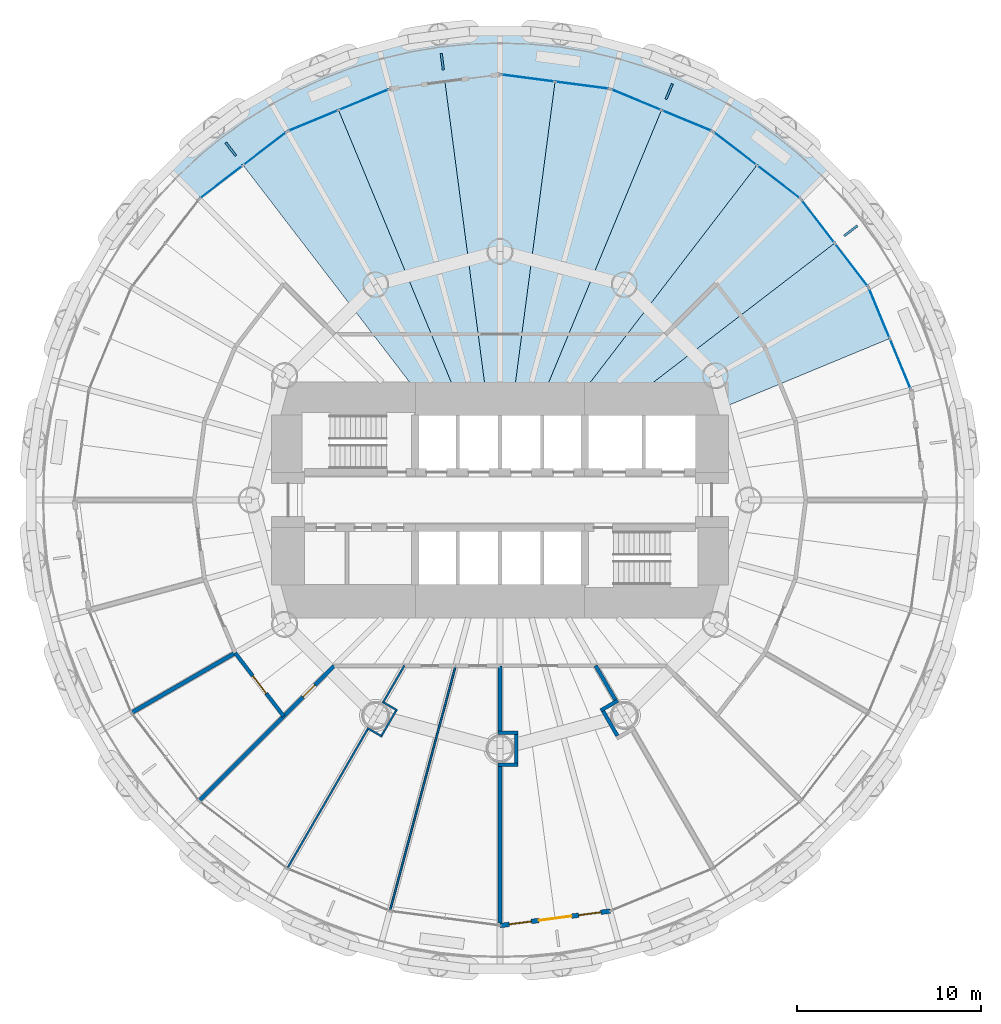
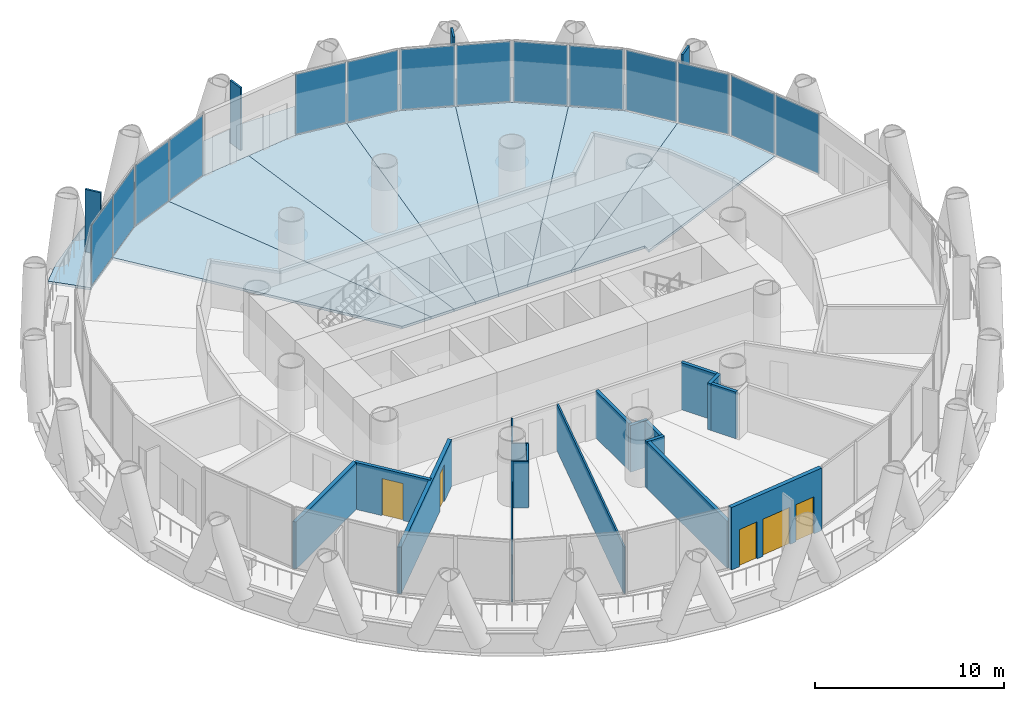
# One storey, part 9 of 16: 18 plates, 18 walls, 8 slabs, 3 doors, 2 windows, 5 openings, 7 elements without a shape of their own.
"""IFC4 building model written with IfcOpenShell, lengths in metres."""

from ifc_helpers import new_model, si_unit, direction, frame, frame_2d, origin, origin_2d, place, context, subcontext, project, spatial, polyline, rectangle, outline, extrude, material, layer, layer_set, type_object, element, fill, aggregate, save


model = new_model("IFC4")

# Units and contexts
model_context = context("Model", 3, precision=1e-05, world=origin(), true_north=direction((0.0, 1.0)))
body_context = subcontext(model_context, "Body", "Model", "MODEL_VIEW")
ifc_project = project(units=[si_unit("LENGTHUNIT", "METRE"), si_unit("AREAUNIT", "SQUARE_METRE"), si_unit("VOLUMEUNIT", "CUBIC_METRE"), si_unit("PLANEANGLEUNIT", "RADIAN"), si_unit("MASSUNIT", "GRAM", prefix="KILO")], contexts=[model_context])

# Site, building, storey
site_placement = place(None, origin())
site = spatial("IfcSite", under=ifc_project, at=site_placement, CompositionType="ELEMENT")
building_placement = place(site_placement, origin())
building = spatial("IfcBuilding", under=site, at=building_placement, Name="Qaws Media Tower", CompositionType="ELEMENT")
storey_placement = place(building_placement, frame((0.0, 0.0, 80.60009765625)))
storey = spatial("IfcBuildingStorey", under=building, at=storey_placement, Name="L17", CompositionType="ELEMENT", Elevation=80.60009765625)

# Slabs
ifc_material_1 = material(Name="Concrete C35/45", Category="concrete")
ifc_layer_1 = layer(ifc_material_1, 0.159912109375)
ifc_layer_set_1 = layer_set([ifc_layer_1], Name="Composite balcony slab 160")
slab_type_1 = type_object("IfcSlabType", Name="Composite balcony slab 160", PredefinedType="FLOOR", material=ifc_layer_set_1)
slab_1_placement = place(storey_placement, frame((0.0, 0.0, -0.16015625)))
element("IfcSlab", 1, at=slab_1_placement, inside=storey, type_object=slab_type_1, Name="S2 balcony slab L17 R04 to R10, movement joints on R04 and R10", PredefinedType="FLOOR", context=body_context, shape_type="SweptSolid", body=[
    extrude(outline(polyline([(43.186767578125, 69.171875), (45.8330078125, 71.202392578125), (48.7216796875, 72.870361328125), (51.80322265625, 74.146728515625), (55.025146484375, 75.010009765625), (58.332275390625, 75.4453125), (61.667724609375, 75.4453125), (64.974853515625, 75.010009765625), (68.19677734375, 74.146728515625), (71.2783203125, 72.870361328125), (74.1669921875, 71.202392578125), (76.813232421875, 69.171875), (77.99267578125, 67.99267578125), (76.334228515625, 66.334228515625), (71.550048828125, 70.005126953125), (65.978759765625, 72.31298828125), (60.0, 73.10009765625), (54.021240234375, 72.31298828125), (48.449951171875, 70.005126953125), (43.665771484375, 66.334228515625), (42.00732421875, 67.99267578125), (43.186767578125, 69.171875)])), origin(), (0.0, 0.0, 1.0), 0.16015625),
])
ifc_material_2 = material(Name="Concrete C35/45", Category="concrete")
ifc_layer_2 = layer(ifc_material_2, 0.159912109375)
ifc_layer_set_2 = layer_set([ifc_layer_2], Name="Composite floor slab 160")
slab_type_2 = type_object("IfcSlabType", Name="Composite floor slab 160", PredefinedType="FLOOR", material=ifc_layer_set_2)
slab_2_placement = place(storey_placement, frame((0.0, 0.0, -0.16015625)))
element("IfcSlab", 2, at=slab_2_placement, inside=storey, type_object=slab_type_2, Name="S1 floor panel L17 on R03", PredefinedType="FLOOR", context=body_context, shape_type="SweptSolid", body=[
    extrude(outline(polyline([(80.005126953125, 61.550048828125), (81.158935546875, 58.764404296875), (71.0, 54.556396484375), (71.0, 55.0), (66.51611328125, 55.0), (78.169677734375, 63.942138671875), (80.005126953125, 61.550048828125)])), origin(), (0.0, 0.0, 1.0), 0.16015625),
])
slab_3_placement = place(storey_placement, frame((0.0, 0.0, -0.16015625)))
element("IfcSlab", 3, at=slab_3_placement, inside=storey, type_object=slab_type_2, Name="S1 floor panel L17 on R04", PredefinedType="FLOOR", context=body_context, shape_type="SweptSolid", body=[
    extrude(outline(polyline([(76.334228515625, 66.334228515625), (78.169677734375, 63.942138671875), (66.51611328125, 55.0), (63.836669921875, 55.0), (73.942138671875, 68.169677734375), (76.334228515625, 66.334228515625)])), origin(), (0.0, 0.0, 1.0), 0.16015625),
])
slab_4_placement = place(storey_placement, frame((0.0, 0.0, -0.16015625)))
element("IfcSlab", 4, at=slab_4_placement, inside=storey, type_object=slab_type_2, Name="S1 floor panel L17 on R05", PredefinedType="FLOOR", context=body_context, shape_type="SweptSolid", body=[
    extrude(outline(polyline([(71.550048828125, 70.005126953125), (73.942138671875, 68.169677734375), (63.836669921875, 55.0), (62.071044921875, 55.0), (68.764404296875, 71.158935546875), (71.550048828125, 70.005126953125)])), origin(), (0.0, 0.0, 1.0), 0.16015625),
])
slab_5_placement = place(storey_placement, frame((0.0, 0.0, -0.16015625)))
element("IfcSlab", 5, at=slab_5_placement, inside=storey, type_object=slab_type_2, Name="S1 floor panel L17 on R06", PredefinedType="FLOOR", context=body_context, shape_type="SweptSolid", body=[
    extrude(outline(polyline([(65.978759765625, 72.31298828125), (68.764404296875, 71.158935546875), (62.071044921875, 55.0), (60.658203125, 55.0), (62.989501953125, 72.706298828125), (65.978759765625, 72.31298828125)])), origin(), (0.0, 0.0, 1.0), 0.16015625),
])
slab_6_placement = place(storey_placement, frame((0.0, 0.0, -0.16015625)))
element("IfcSlab", 6, at=slab_6_placement, inside=storey, type_object=slab_type_2, Name="S1 floor panel L17 on R07", PredefinedType="FLOOR", context=body_context, shape_type="SweptSolid", body=[
    extrude(outline(polyline([(60.0, 73.10009765625), (62.989501953125, 72.706298828125), (60.658203125, 55.0), (59.341796875, 55.0), (57.010498046875, 72.706298828125), (60.0, 73.10009765625)])), origin(), (0.0, 0.0, 1.0), 0.16015625),
])
slab_7_placement = place(storey_placement, frame((0.0, 0.0, -0.16015625)))
element("IfcSlab", 7, at=slab_7_placement, inside=storey, type_object=slab_type_2, Name="S1 floor panel L17 on R08", PredefinedType="FLOOR", context=body_context, shape_type="SweptSolid", body=[
    extrude(outline(polyline([(54.021240234375, 72.31298828125), (57.010498046875, 72.706298828125), (59.341796875, 55.0), (57.928955078125, 55.0), (51.235595703125, 71.158935546875), (54.021240234375, 72.31298828125)])), origin(), (0.0, 0.0, 1.0), 0.16015625),
])
slab_8_placement = place(storey_placement, frame((0.0, 0.0, -0.16015625)))
element("IfcSlab", 8, at=slab_8_placement, inside=storey, type_object=slab_type_2, Name="S1 floor panel L17 on R09", PredefinedType="FLOOR", context=body_context, shape_type="SweptSolid", body=[
    extrude(outline(polyline([(48.449951171875, 70.005126953125), (51.235595703125, 71.158935546875), (57.928955078125, 55.0), (56.163330078125, 55.0), (46.057861328125, 68.169677734375), (48.449951171875, 70.005126953125)])), origin(), (0.0, 0.0, 1.0), 0.16015625),
])

# Curtain wall, plates
ifc_material_3 = material(Name="Aluminium and clear glass", Category="aluminium")
curtain_wall_type = type_object("IfcCurtainWallType", Name="Unitised curtain wall CW-A", PredefinedType="NOTDEFINED", material=ifc_material_3)
curtain_wall_1_placement = place(storey_placement, origin())
curtain_wall_1 = element("IfcCurtainWall", 9, at=curtain_wall_1_placement, inside=storey, type_object=curtain_wall_type, Name="CWA curtain wall L17-02", PredefinedType="NOTDEFINED")
ifc_material_4 = material(Name="Clear laminated double glazing", Category="glass")
ifc_layer_3 = layer(ifc_material_4, 0.031982421875)
ifc_layer_set_3 = layer_set([ifc_layer_3], Name="Curtain wall glass unit 32")
plate_type_1 = type_object("IfcPlateType", Name="Curtain wall glass unit 32", PredefinedType="CURTAIN_PANEL", material=ifc_layer_set_3)
plate_1_placement = place(storey_placement, frame((81.728271484375, 57.39013671875, 0.080078125), z_axis=(0.0, 0.0, 1.0), x_axis=(-0.382683469758, 0.923879517022, 0.0)))
plate_1 = element("IfcPlate", 10, at=plate_1_placement, type_object=plate_type_1, Name="CWA panel 1.1", PredefinedType="CURTAIN_PANEL", context=body_context, shape_type="SweptSolid", body=[
    extrude(rectangle(XDim=2.895263671875, YDim=0.031982421875, at=origin_2d()), origin(), (0.0, 0.0, 1.0), 3.8798828125),
])
plate_2_placement = place(storey_placement, frame((80.58984375, 60.138671875, 0.080078125), z_axis=(0.0, 0.0, 1.0), x_axis=(-0.382683469758, 0.923879517022, 0.0)))
plate_2 = element("IfcPlate", 11, at=plate_2_placement, type_object=plate_type_1, Name="CWA panel 2.1", PredefinedType="CURTAIN_PANEL", context=body_context, shape_type="SweptSolid", body=[
    extrude(rectangle(XDim=2.895263671875, YDim=0.031982421875, at=origin_2d()), origin(), (0.0, 0.0, 1.0), 3.8798828125),
])
aggregate(curtain_wall_1, [plate_1, plate_2])

curtain_wall_2_placement = place(storey_placement, origin())
curtain_wall_2 = element("IfcCurtainWall", 12, at=curtain_wall_2_placement, inside=storey, type_object=curtain_wall_type, Name="CWA curtain wall L17-03", PredefinedType="NOTDEFINED")
plate_3_placement = place(storey_placement, frame((79.0751953125, 62.761962890625, 0.080078125), z_axis=(0.0, 0.0, 1.0), x_axis=(-0.608761381612, 0.79335337666, 0.0)))
plate_3 = element("IfcPlate", 13, at=plate_3_placement, type_object=plate_type_1, Name="CWA panel 1.1", PredefinedType="CURTAIN_PANEL", context=body_context, shape_type="SweptSolid", body=[
    extrude(rectangle(XDim=2.895263671875, YDim=0.031982421875, at=origin_2d()), origin(), (0.0, 0.0, 1.0), 3.8798828125),
])
plate_4_placement = place(storey_placement, frame((77.26416015625, 65.122314453125, 0.080078125), z_axis=(0.0, 0.0, 1.0), x_axis=(-0.608761381612, 0.79335337666, 0.0)))
plate_4 = element("IfcPlate", 14, at=plate_4_placement, type_object=plate_type_1, Name="CWA panel 2.1", PredefinedType="CURTAIN_PANEL", context=body_context, shape_type="SweptSolid", body=[
    extrude(rectangle(XDim=2.895263671875, YDim=0.031982421875, at=origin_2d()), origin(), (0.0, 0.0, 1.0), 3.8798828125),
])
aggregate(curtain_wall_2, [plate_3, plate_4])

curtain_wall_3_placement = place(storey_placement, origin())
curtain_wall_3 = element("IfcCurtainWall", 15, at=curtain_wall_3_placement, inside=storey, type_object=curtain_wall_type, Name="CWA curtain wall L17-04", PredefinedType="NOTDEFINED")
plate_5_placement = place(storey_placement, frame((75.122314453125, 67.26416015625, 0.080078125), z_axis=(0.0, 0.0, 1.0), x_axis=(-0.79335337666, 0.608761381612, 0.0)))
plate_5 = element("IfcPlate", 16, at=plate_5_placement, type_object=plate_type_1, Name="CWA panel 1.1", PredefinedType="CURTAIN_PANEL", context=body_context, shape_type="SweptSolid", body=[
    extrude(rectangle(XDim=2.895263671875, YDim=0.031982421875, at=origin_2d()), origin(), (0.0, 0.0, 1.0), 3.8798828125),
])
plate_6_placement = place(storey_placement, frame((72.761962890625, 69.0751953125, 0.080078125), z_axis=(0.0, 0.0, 1.0), x_axis=(-0.79335337666, 0.608761381612, 0.0)))
plate_6 = element("IfcPlate", 17, at=plate_6_placement, type_object=plate_type_1, Name="CWA panel 2.1", PredefinedType="CURTAIN_PANEL", context=body_context, shape_type="SweptSolid", body=[
    extrude(rectangle(XDim=2.895263671875, YDim=0.031982421875, at=origin_2d()), origin(), (0.0, 0.0, 1.0), 3.8798828125),
])
aggregate(curtain_wall_3, [plate_5, plate_6])

curtain_wall_4_placement = place(storey_placement, origin())
curtain_wall_4 = element("IfcCurtainWall", 18, at=curtain_wall_4_placement, inside=storey, type_object=curtain_wall_type, Name="CWA curtain wall L17-05", PredefinedType="NOTDEFINED")
plate_7_placement = place(storey_placement, frame((70.138671875, 70.58984375, 0.080078125), z_axis=(0.0, 0.0, 1.0), x_axis=(-0.923879517022, 0.382683469758, 0.0)))
plate_7 = element("IfcPlate", 19, at=plate_7_placement, type_object=plate_type_1, Name="CWA panel 1.1", PredefinedType="CURTAIN_PANEL", context=body_context, shape_type="SweptSolid", body=[
    extrude(rectangle(XDim=2.895263671875, YDim=0.031982421875, at=origin_2d()), origin(), (0.0, 0.0, 1.0), 3.8798828125),
])
plate_8_placement = place(storey_placement, frame((67.39013671875, 71.728271484375, 0.080078125), z_axis=(0.0, 0.0, 1.0), x_axis=(-0.923879517022, 0.382683469758, 0.0)))
plate_8 = element("IfcPlate", 20, at=plate_8_placement, type_object=plate_type_1, Name="CWA panel 2.1", PredefinedType="CURTAIN_PANEL", context=body_context, shape_type="SweptSolid", body=[
    extrude(rectangle(XDim=2.895263671875, YDim=0.031982421875, at=origin_2d()), origin(), (0.0, 0.0, 1.0), 3.8798828125),
])
aggregate(curtain_wall_4, [plate_7, plate_8])

curtain_wall_5_placement = place(storey_placement, origin())
curtain_wall_5 = element("IfcCurtainWall", 21, at=curtain_wall_5_placement, inside=storey, type_object=curtain_wall_type, Name="CWA curtain wall L17-06", PredefinedType="NOTDEFINED")
plate_9_placement = place(storey_placement, frame((64.464111328125, 72.51220703125, 0.080078125), z_axis=(0.0, 0.0, 1.0), x_axis=(-0.991444870395, 0.130526123696, 0.0)))
plate_9 = element("IfcPlate", 22, at=plate_9_placement, type_object=plate_type_1, Name="CWA panel 1.1", PredefinedType="CURTAIN_PANEL", context=body_context, shape_type="SweptSolid", body=[
    extrude(rectangle(XDim=2.895263671875, YDim=0.031982421875, at=origin_2d()), origin(), (0.0, 0.0, 1.0), 3.8798828125),
])
plate_10_placement = place(storey_placement, frame((61.514404296875, 72.900634765625, 0.080078125), z_axis=(0.0, 0.0, 1.0), x_axis=(-0.991444870395, 0.130526123696, 0.0)))
plate_10 = element("IfcPlate", 23, at=plate_10_placement, type_object=plate_type_1, Name="CWA panel 2.1", PredefinedType="CURTAIN_PANEL", context=body_context, shape_type="SweptSolid", body=[
    extrude(rectangle(XDim=2.895263671875, YDim=0.031982421875, at=origin_2d()), origin(), (0.0, 0.0, 1.0), 3.8798828125),
])
aggregate(curtain_wall_5, [plate_9, plate_10])

curtain_wall_6_placement = place(storey_placement, origin())
curtain_wall_6 = element("IfcCurtainWall", 24, at=curtain_wall_6_placement, inside=storey, type_object=curtain_wall_type, Name="CWA curtain wall L17-08", PredefinedType="NOTDEFINED")
plate_11_placement = place(storey_placement, frame((52.60986328125, 71.728271484375, 0.080078125), z_axis=(0.0, 0.0, 1.0), x_axis=(-0.923879517022, -0.382683469758, 0.0)))
plate_11 = element("IfcPlate", 25, at=plate_11_placement, type_object=plate_type_1, Name="CWA panel 1.1", PredefinedType="CURTAIN_PANEL", context=body_context, shape_type="SweptSolid", body=[
    extrude(rectangle(XDim=2.895263671875, YDim=0.031982421875, at=origin_2d()), origin(), (0.0, 0.0, 1.0), 3.8798828125),
])
plate_12_placement = place(storey_placement, frame((49.861328125, 70.58984375, 0.080078125), z_axis=(0.0, 0.0, 1.0), x_axis=(-0.923879517022, -0.382683469758, 0.0)))
plate_12 = element("IfcPlate", 26, at=plate_12_placement, type_object=plate_type_1, Name="CWA panel 2.1", PredefinedType="CURTAIN_PANEL", context=body_context, shape_type="SweptSolid", body=[
    extrude(rectangle(XDim=2.895263671875, YDim=0.031982421875, at=origin_2d()), origin(), (0.0, 0.0, 1.0), 3.8798828125),
])
aggregate(curtain_wall_6, [plate_11, plate_12])

curtain_wall_7_placement = place(storey_placement, origin())
curtain_wall_7 = element("IfcCurtainWall", 27, at=curtain_wall_7_placement, inside=storey, type_object=curtain_wall_type, Name="CWA curtain wall L17-09", PredefinedType="NOTDEFINED")
plate_13_placement = place(storey_placement, frame((47.238037109375, 69.0751953125, 0.080078125), z_axis=(0.0, 0.0, 1.0), x_axis=(-0.79335337666, -0.608761381612, 0.0)))
plate_13 = element("IfcPlate", 28, at=plate_13_placement, type_object=plate_type_1, Name="CWA panel 1.1", PredefinedType="CURTAIN_PANEL", context=body_context, shape_type="SweptSolid", body=[
    extrude(rectangle(XDim=2.895263671875, YDim=0.031982421875, at=origin_2d()), origin(), (0.0, 0.0, 1.0), 3.8798828125),
])
plate_14_placement = place(storey_placement, frame((44.877685546875, 67.26416015625, 0.080078125), z_axis=(0.0, 0.0, 1.0), x_axis=(-0.79335337666, -0.608761381612, 0.0)))
plate_14 = element("IfcPlate", 29, at=plate_14_placement, type_object=plate_type_1, Name="CWA panel 2.1", PredefinedType="CURTAIN_PANEL", context=body_context, shape_type="SweptSolid", body=[
    extrude(rectangle(XDim=2.895263671875, YDim=0.031982421875, at=origin_2d()), origin(), (0.0, 0.0, 1.0), 3.8798828125),
])
aggregate(curtain_wall_7, [plate_13, plate_14])

# Plates
ifc_material_5 = material(Name="Precast concrete screen fin", Category="concrete")
ifc_layer_4 = layer(ifc_material_5, 0.1201171875)
ifc_layer_set_4 = layer_set([ifc_layer_4], Name="Screen fin 120x900")
plate_type_2 = type_object("IfcPlateType", Name="Screen fin 120x900", PredefinedType="USERDEFINED", material=ifc_layer_set_4)
for number, where, z_axis, x_axis, name in (
    (30, (79.04052734375, 64.6103515625, 0.0), (0.0, 0.0, 1.0), (0.793353340291, 0.608761429009, 0.0), "SCR1 screen fin L17-02"),
    (31, (69.184326171875, 72.173095703125, 0.0), (0.0, 0.0, 1.0), (0.382683432365, 0.923879532511, 0.0), "SCR1 screen fin L17-03"),
    (32, (56.867431640625, 73.794677734375, 0.0), (0.0, 0.0, 1.0), (-0.13052619222, 0.991444861374, 0.0), "SCR1 screen fin L17-04"),
    (33, (45.3896484375, 69.04052734375, 0.0), (0.0, 0.0, 1.0), (-0.608761429009, 0.793353340291, 0.0), "SCR1 screen fin L17-05"),
):
    element("IfcPlate", number, at=place(storey_placement, frame(where, z_axis=z_axis, x_axis=x_axis)), inside=storey, type_object=plate_type_2, Name=name, ObjectType="SCREEN", PredefinedType="USERDEFINED", context=body_context, shape_type="SweptSolid", body=[
        extrude(rectangle(XDim=0.89990234375, YDim=0.1201171875, at=origin_2d()), origin(), (0.0, 0.0, 1.0), 4.0400390625),
    ])

# Wall
ifc_material_6 = material(Name="Twin metal stud frames, two layers gypsum board each side, insulated, Rw 55", Category="gypsum")
ifc_layer_5 = layer(ifc_material_6, 0.22509765625)
ifc_layer_set_5 = layer_set([ifc_layer_5], Name="Acoustic twin-stud partition 225 Rw 55")
wall_type_1 = type_object("IfcWallType", Name="Acoustic twin-stud partition 225 Rw 55", PredefinedType="PARTITIONING", material=ifc_layer_set_5)
wall_1_placement = place(storey_placement, frame((45.6240234375, 41.699951171875, 0.0), z_axis=(0.0, 0.0, 1.0), x_axis=(-0.866025099701, -0.500000526688, 0.0)))
element("IfcWall", 34, at=wall_1_placement, inside=storey, type_object=wall_type_1, Name="W081 IW6 partition L17", PredefinedType="PARTITIONING", context=body_context, shape_type="SweptSolid", body=[
    extrude(rectangle(XDim=6.4599609375, YDim=0.22509765625, at=frame_2d((3.22998046875, 0.0))), origin(), (0.0, 0.0, 1.0), 3.039794921875),
])

# Wall, opening, door
wall_2_placement = place(storey_placement, frame((51.0, 41.0, 0.0), z_axis=(0.0, 0.0, 1.0), x_axis=(-0.707106781187, -0.707106781187, 0.0)))
wall_2 = element("IfcWall", 35, at=wall_2_placement, inside=storey, type_object=wall_type_1, Name="W082 IW6 partition L17", PredefinedType="PARTITIONING", context=body_context, shape_type="SweptSolid", body=[
    extrude(rectangle(XDim=10.33203125, YDim=0.22509765625, at=frame_2d((5.166015625, 0.0))), origin(), (0.0, 0.0, 1.0), 3.02001953125),
])
opening_1_placement = place(wall_2_placement, frame((1.486083984375, 0.0, 0.0)))
opening_1 = element("IfcOpeningElement", 36, at=opening_1_placement, cuts=wall_2, Name="Opening D12", PredefinedType="OPENING", context=body_context, shape_type="SweptSolid", body=[
    extrude(rectangle(XDim=0.89990234375, YDim=2.39990234375, at=frame_2d((0.449951171875, 1.199951171875))), frame((0.0, 0.12255859375, 0.0), z_axis=(0.0, -1.0, 0.0), x_axis=(1.0, 0.0, 0.0)), (0.0, 0.0, 1.0), 0.2451171875),
])
ifc_material_7 = material(Name="Timber veneered, full height", Category="wood")
door_type_1 = type_object("IfcDoorType", Name="Office door 900x2400", OperationType="SINGLE_SWING_LEFT", PredefinedType="DOOR", material=ifc_material_7)
door_1_placement = place(opening_1_placement, origin())
door_1 = element("IfcDoor", 37, at=door_1_placement, inside=storey, type_object=door_type_1, Name="D12 Editor's office door L17 in wall W082", OperationType="SINGLE_SWING_LEFT", OverallHeight=2.39990234375, OverallWidth=0.89990234375, PredefinedType="DOOR", context=body_context, shape_type="SweptSolid", body=[
    extrude(rectangle(XDim=0.89990234375, YDim=2.39990234375, at=frame_2d((0.449951171875, 1.199951171875))), frame((0.0, 0.02490234375, 0.0), z_axis=(0.0, -1.0, 0.0), x_axis=(1.0, 0.0, 0.0)), (0.0, 0.0, 1.0), 0.050048828125),
])
fill(opening_1, door_1)

# Wall, openings, door, windows
ifc_material_8 = material(Name="Precast concrete, exposed finish", Category="concrete")
ifc_layer_6 = layer(ifc_material_8, 0.25)
ifc_layer_set_6 = layer_set([ifc_layer_6], Name="Balcony door wall 250")
wall_type_2 = type_object("IfcWallType", Name="Balcony door wall 250", PredefinedType="SOLIDWALL", material=ifc_layer_set_6)
wall_3_placement = place(storey_placement, frame((60.0, 26.89990234375, 0.0), z_axis=(0.0, 0.0, 1.0), x_axis=(0.991445060532, 0.130524679454, 0.0)))
wall_3 = element("IfcWall", 38, at=wall_3_placement, inside=storey, type_object=wall_type_2, Name="W154 EW1 balcony door wall L17-19", PredefinedType="SOLIDWALL", context=body_context, shape_type="SweptSolid", body=[
    extrude(rectangle(XDim=6.0302734375, YDim=0.25, at=frame_2d((3.01513671875, 0.0))), origin(), (0.0, 0.0, 1.0), 4.039794921875),
])
opening_2_placement = place(wall_3_placement, frame((2.115234375, 0.0, 0.0)))
opening_2 = element("IfcOpeningElement", 39, at=opening_2_placement, cuts=wall_3, Name="Opening D7", PredefinedType="OPENING", context=body_context, shape_type="SweptSolid", body=[
    extrude(rectangle(XDim=1.800048828125, YDim=2.39990234375, at=frame_2d((0.89990234375, 1.199951171875))), frame((0.0, 0.135009765625, 0.0), z_axis=(0.0, -1.0, 0.0), x_axis=(1.0, 0.0, 0.0)), (0.0, 0.0, 1.0), 0.27001953125),
])
opening_3_placement = place(wall_3_placement, frame((0.51513671875, 0.0, 0.0)))
opening_3 = element("IfcOpeningElement", 40, at=opening_3_placement, cuts=wall_3, Name="Opening W1", PredefinedType="OPENING", context=body_context, shape_type="SweptSolid", body=[
    extrude(rectangle(XDim=1.199951171875, YDim=2.39990234375, at=frame_2d((0.60009765625, 1.199951171875))), frame((0.0, 0.135009765625, 0.0), z_axis=(0.0, -1.0, 0.0), x_axis=(1.0, 0.0, 0.0)), (0.0, 0.0, 1.0), 0.27001953125),
])
opening_4_placement = place(wall_3_placement, frame((4.315185546875, 0.0, 0.0)))
opening_4 = element("IfcOpeningElement", 41, at=opening_4_placement, cuts=wall_3, Name="Opening W1", PredefinedType="OPENING", context=body_context, shape_type="SweptSolid", body=[
    extrude(rectangle(XDim=1.199951171875, YDim=2.39990234375, at=frame_2d((0.60009765625, 1.199951171875))), frame((0.0, 0.135009765625, 0.0), z_axis=(0.0, -1.0, 0.0), x_axis=(1.0, 0.0, 0.0)), (0.0, 0.0, 1.0), 0.27001953125),
])
ifc_material_9 = material(Name="Aluminium and clear glass", Category="aluminium")
door_type_2 = type_object("IfcDoorType", Name="Balcony door pair 1800", OperationType="DOUBLE_DOOR_SLIDING", PredefinedType="DOOR", material=ifc_material_9)
door_2_placement = place(opening_2_placement, origin())
door_2 = element("IfcDoor", 42, at=door_2_placement, inside=storey, type_object=door_type_2, Name="D7 balcony door L17-19 in wall W154", OperationType="DOUBLE_DOOR_SLIDING", OverallHeight=2.39990234375, OverallWidth=1.800048828125, PredefinedType="DOOR", context=body_context, shape_type="SweptSolid", body=[
    extrude(rectangle(XDim=1.800048828125, YDim=2.39990234375, at=frame_2d((0.89990234375, 1.199951171875))), frame((0.0, 0.02490234375, 0.0), z_axis=(0.0, -1.0, 0.0), x_axis=(1.0, 0.0, 0.0)), (0.0, 0.0, 1.0), 0.050048828125),
])
fill(opening_2, door_2)
ifc_material_10 = material(Name="Aluminium and clear glass", Category="aluminium")
window_type = type_object("IfcWindowType", Name="Balcony side window 1200", PartitioningType="SINGLE_PANEL", PredefinedType="WINDOW", material=ifc_material_10)
window_1_placement = place(opening_3_placement, origin())
window_1 = element("IfcWindow", 43, at=window_1_placement, inside=storey, type_object=window_type, Name="W1 balcony side light L17-19L", OverallHeight=2.39990234375, OverallWidth=1.199951171875, PartitioningType="SINGLE_PANEL", PredefinedType="WINDOW", context=body_context, shape_type="SweptSolid", body=[
    extrude(rectangle(XDim=1.199951171875, YDim=2.39990234375, at=frame_2d((0.60009765625, 1.199951171875))), frame((0.0, 0.030029296875, 0.0), z_axis=(0.0, -1.0, 0.0), x_axis=(1.0, 0.0, 0.0)), (0.0, 0.0, 1.0), 0.06005859375),
])
fill(opening_3, window_1)
window_2_placement = place(opening_4_placement, origin())
window_2 = element("IfcWindow", 44, at=window_2_placement, inside=storey, type_object=window_type, Name="W1 balcony side light L17-19R", OverallHeight=2.39990234375, OverallWidth=1.199951171875, PartitioningType="SINGLE_PANEL", PredefinedType="WINDOW", context=body_context, shape_type="SweptSolid", body=[
    extrude(rectangle(XDim=1.199951171875, YDim=2.39990234375, at=frame_2d((0.60009765625, 1.199951171875))), frame((0.0, 0.030029296875, 0.0), z_axis=(0.0, -1.0, 0.0), x_axis=(1.0, 0.0, 0.0)), (0.0, 0.0, 1.0), 0.06005859375),
])
fill(opening_4, window_2)

# Walls
ifc_material_11 = material(Name="Gypsum board on 70 metal studs, single layer each side", Category="gypsum")
ifc_layer_7 = layer(ifc_material_11, 0.10009765625)
ifc_layer_set_7 = layer_set([ifc_layer_7], Name="Office stud partition 100")
wall_type_3 = type_object("IfcWallType", Name="Office stud partition 100", PredefinedType="PARTITIONING", material=ifc_layer_set_7)
for number, where, z_axis, x_axis, name in (
    (45, (53.6171875, 39.044677734375, 0.0), (0.0, 0.0, 1.0), (0.866024034475, -0.500002371706, 0.0), "W648 IW4 partition return L17"),
    (46, (52.796142578125, 37.622802734375, 0.0), (0.0, 0.0, 1.0), (0.866024034475, -0.500002371706, 0.0), "W646 IW4 partition return L17"),
):
    element("IfcWall", number, at=place(storey_placement, frame(where, z_axis=z_axis, x_axis=x_axis)), inside=storey, type_object=wall_type_3, Name=name, PredefinedType="PARTITIONING", context=body_context, shape_type="SweptSolid", body=[
        extrude(rectangle(XDim=0.93115234375, YDim=0.10009765625, at=frame_2d((0.465576171875, 0.0))), origin(), (0.0, 0.0, 1.0), 3.02001953125),
    ])
wall_4_placement = place(storey_placement, frame((54.355224609375, 38.560791015625, 0.0), z_axis=(0.0, 0.0, 1.0), x_axis=(-0.50005597947, -0.86599308161, 0.0)))
element("IfcWall", 47, at=wall_4_placement, inside=storey, type_object=wall_type_3, Name="W649 IW4 partition return L17", PredefinedType="PARTITIONING", context=body_context, shape_type="SweptSolid", body=[
    extrude(rectangle(XDim=1.541748046875, YDim=0.10009765625, at=frame_2d((0.77099609375, 0.0))), origin(), (0.0, 0.0, 1.0), 3.02001953125),
])
wall_5_placement = place(storey_placement, frame((54.81005859375, 41.0107421875, 0.0), z_axis=(0.0, 0.0, 1.0), x_axis=(-0.499991822116, -0.866030125237, 0.0)))
element("IfcWall", 48, at=wall_5_placement, inside=storey, type_object=wall_type_3, Name="W650 IW4 partition L17", PredefinedType="PARTITIONING", context=body_context, shape_type="SweptSolid", body=[
    extrude(rectangle(XDim=2.2490234375, YDim=0.10009765625, at=frame_2d((1.12451171875, 0.0))), origin(), (0.0, 0.0, 1.0), 3.039794921875),
])
wall_6_placement = place(storey_placement, frame((52.814453125, 37.55419921875, 0.0), z_axis=(0.0, 0.0, 1.0), x_axis=(-0.500010270335, -0.866019474122, 0.0)))
element("IfcWall", 49, at=wall_6_placement, inside=storey, type_object=wall_type_3, Name="W647 IW4 partition L17", PredefinedType="PARTITIONING", context=body_context, shape_type="SweptSolid", body=[
    extrude(rectangle(XDim=8.688720703125, YDim=0.10009765625, at=frame_2d((4.34423828125, 0.0))), origin(), (0.0, 0.0, 1.0), 3.039794921875),
])
wall_7_placement = place(storey_placement, frame((57.587890625, 40.99755859375, 0.0), z_axis=(0.0, 0.0, 1.0), x_axis=(-0.258835854707, -0.965921322012, 0.0)))
element("IfcWall", 50, at=wall_7_placement, inside=storey, type_object=wall_type_3, Name="W651 IW4 partition L17", PredefinedType="PARTITIONING", context=body_context, shape_type="SweptSolid", body=[
    extrude(rectangle(XDim=13.739990234375, YDim=0.10009765625, at=frame_2d((6.8701171875, 0.0))), origin(), (0.0, 0.0, 1.0), 3.02001953125),
])

# Wall, opening, door
ifc_material_12 = material(Name="Gypsum board on galvanised metal studs, acoustic double stud, deflection head", Category="gypsum")
ifc_layer_8 = layer(ifc_material_12, 0.199951171875)
ifc_layer_set_8 = layer_set([ifc_layer_8], Name="Room partition 200")
wall_type_4 = type_object("IfcWallType", Name="Room partition 200", PredefinedType="PARTITIONING", material=ifc_layer_set_8)
wall_8_placement = place(storey_placement, frame((48.261962890625, 38.261962890625, 0.0), z_axis=(0.0, 0.0, 1.0), x_axis=(-0.60874374674, 0.79336690806, 0.0)))
wall_8 = element("IfcWall", 51, at=wall_8_placement, inside=storey, type_object=wall_type_4, Name="W993 IW3 partition L17", PredefinedType="PARTITIONING", context=body_context, shape_type="SweptSolid", body=[
    extrude(rectangle(XDim=4.33349609375, YDim=0.199951171875, at=frame_2d((2.166748046875, 0.0))), origin(), (0.0, 0.0, 1.0), 3.039794921875),
])
opening_5_placement = place(wall_8_placement, frame((1.566650390625, 0.0, 0.0)))
opening_5 = element("IfcOpeningElement", 52, at=opening_5_placement, cuts=wall_8, Name="Opening D14", PredefinedType="OPENING", context=body_context, shape_type="SweptSolid", body=[
    extrude(rectangle(XDim=1.199951171875, YDim=2.39990234375, at=frame_2d((0.60009765625, 1.199951171875))), frame((0.0, 0.10986328125, 0.0), z_axis=(0.0, -1.0, 0.0), x_axis=(1.0, 0.0, 0.0)), (0.0, 0.0, 1.0), 0.219970703125),
])
ifc_material_13 = material(Name="Steel acoustic door set, Rw 45", Category="steel")
door_type_3 = type_object("IfcDoorType", Name="Acoustic door 1200x2400 Rw 45", OperationType="SINGLE_SWING_LEFT", PredefinedType="DOOR", material=ifc_material_13)
door_3_placement = place(opening_5_placement, origin())
door_3 = element("IfcDoor", 53, at=door_3_placement, inside=storey, type_object=door_type_3, Name="D14 Translation booth door L17 in wall W993", OperationType="SINGLE_SWING_LEFT", OverallHeight=2.39990234375, OverallWidth=1.199951171875, PredefinedType="DOOR", context=body_context, shape_type="SweptSolid", body=[
    extrude(rectangle(XDim=1.199951171875, YDim=2.39990234375, at=frame_2d((0.60009765625, 1.199951171875))), frame((0.0, 0.02490234375, 0.0), z_axis=(0.0, -1.0, 0.0), x_axis=(1.0, 0.0, 0.0)), (0.0, 0.0, 1.0), 0.050048828125),
])
fill(opening_5, door_3)

# Walls
for number, where, z_axis, x_axis, name in (
    (54, (59.89990234375, 37.37109375, 0.0), (0.0, 0.0, 1.0), (1.0, 0.0, 0.0), "W1046 IW3 partition return L17"),
    (55, (59.89990234375, 35.62890625, 0.0), (0.0, 0.0, 1.0), (1.0, 0.0, 0.0), "W1045 IW3 partition return L17"),
):
    element("IfcWall", number, at=place(storey_placement, frame(where, z_axis=z_axis, x_axis=x_axis)), inside=storey, type_object=wall_type_4, Name=name, PredefinedType="PARTITIONING", context=body_context, shape_type="SweptSolid", body=[
        extrude(rectangle(XDim=1.0810546875, YDim=0.199951171875, at=frame_2d((0.54052734375, 0.0))), origin(), (0.0, 0.0, 1.0), 3.02001953125),
    ])
wall_9_placement = place(storey_placement, frame((60.881103515625, 37.27099609375, 0.0), z_axis=(0.0, 0.0, 1.0), x_axis=(0.0, -1.0, 0.0)))
element("IfcWall", 56, at=wall_9_placement, inside=storey, type_object=wall_type_4, Name="W1049 IW3 partition return L17", PredefinedType="PARTITIONING", context=body_context, shape_type="SweptSolid", body=[
    extrude(rectangle(XDim=1.5419921875, YDim=0.199951171875, at=frame_2d((0.77099609375, 0.0))), origin(), (0.0, 0.0, 1.0), 3.02001953125),
])
wall_10_placement = place(storey_placement, frame((60.0, 41.0, 0.0), z_axis=(0.0, 0.0, 1.0), x_axis=(0.0, -1.0, 0.0)))
element("IfcWall", 57, at=wall_10_placement, inside=storey, type_object=wall_type_4, Name="W1102 IW3 partition L17", PredefinedType="PARTITIONING", context=body_context, shape_type="SweptSolid", body=[
    extrude(rectangle(XDim=3.529052734375, YDim=0.199951171875, at=frame_2d((1.7646484375, 0.0))), origin(), (0.0, 0.0, 1.0), 3.039794921875),
])
wall_11_placement = place(storey_placement, frame((60.0, 35.529052734375, 0.0), z_axis=(0.0, 0.0, 1.0), x_axis=(0.0, -1.0, 0.0)))
element("IfcWall", 58, at=wall_11_placement, inside=storey, type_object=wall_type_4, Name="W1100 IW3 partition L17", PredefinedType="PARTITIONING", context=body_context, shape_type="SweptSolid", body=[
    extrude(rectangle(XDim=8.489013671875, YDim=0.199951171875, at=frame_2d((4.24462890625, 0.0))), origin(), (0.0, 0.0, 1.0), 3.039794921875),
])
wall_12_placement = place(storey_placement, frame((66.401123046875, 39.113037109375, 0.0), z_axis=(0.0, 0.0, 1.0), x_axis=(-0.86603892542, -0.499976579108, 0.0)))
element("IfcWall", 59, at=wall_12_placement, inside=storey, type_object=wall_type_4, Name="W1027 IW3 partition return L17", PredefinedType="PARTITIONING", context=body_context, shape_type="SweptSolid", body=[
    extrude(rectangle(XDim=1.0810546875, YDim=0.199951171875, at=frame_2d((0.54052734375, 0.0))), origin(), (0.0, 0.0, 1.0), 3.02001953125),
])
wall_13_placement = place(storey_placement, frame((65.6015625, 38.535888671875, 0.0), z_axis=(0.0, 0.0, 1.0), x_axis=(0.499987416453, -0.866032668777, 0.0)))
element("IfcWall", 60, at=wall_13_placement, inside=storey, type_object=wall_type_4, Name="W1026 IW3 partition return L17", PredefinedType="PARTITIONING", context=body_context, shape_type="SweptSolid", body=[
    extrude(rectangle(XDim=1.5419921875, YDim=0.199951171875, at=frame_2d((0.77099609375, 0.0))), origin(), (0.0, 0.0, 1.0), 3.02001953125),
])
wall_14_placement = place(storey_placement, frame((65.18994140625, 41.0107421875, 0.0), z_axis=(0.0, 0.0, 1.0), x_axis=(0.499987977232, -0.866032345022, 0.0)))
element("IfcWall", 61, at=wall_14_placement, inside=storey, type_object=wall_type_4, Name="W1025 IW3 partition L17", PredefinedType="PARTITIONING", context=body_context, shape_type="SweptSolid", body=[
    extrude(rectangle(XDim=2.14892578125, YDim=0.199951171875, at=frame_2d((1.074462890625, 0.0))), origin(), (0.0, 0.0, 1.0), 3.039794921875),
])

save(model, "model.ifc")
